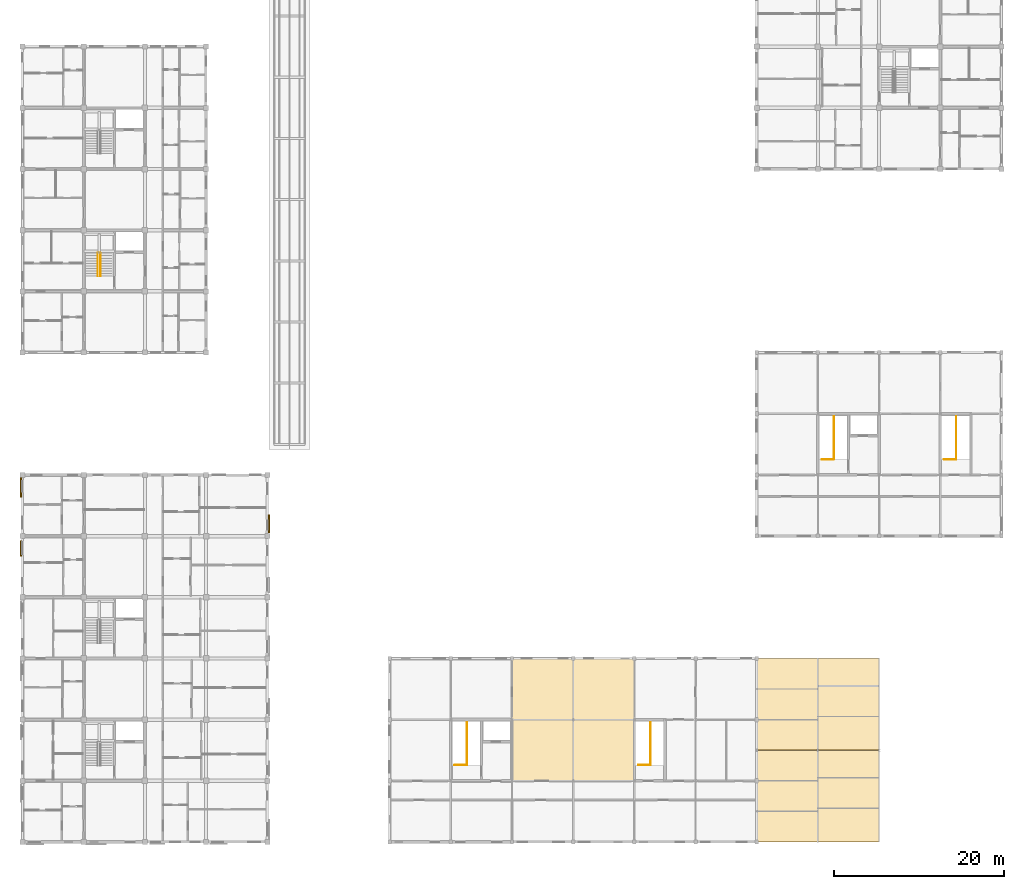
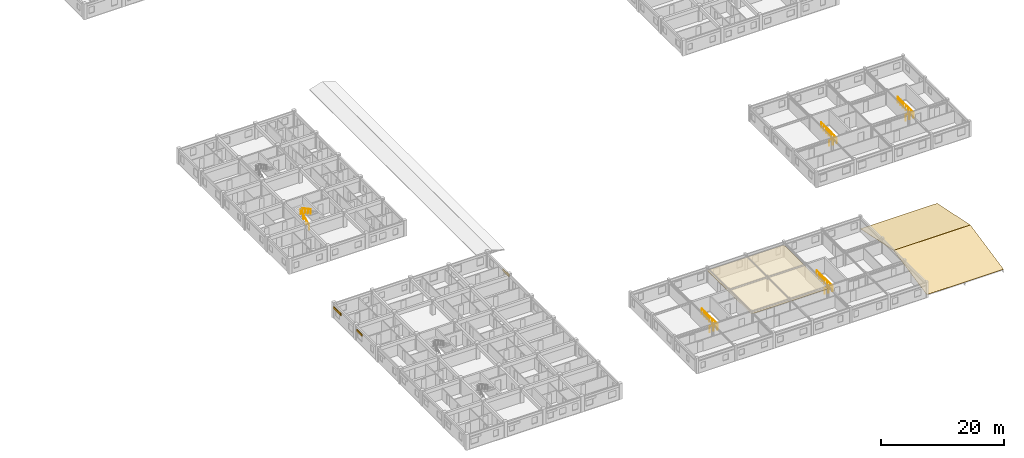
# One storey, part 44 of 50: 6 railings, 3 coverings, 3 shading devices.
"""IFC4 building model written with IfcOpenShell, lengths in metres."""

from ifc_helpers import new_model, si_unit, direction, frame, origin, origin_2d, place, context, subcontext, project, spatial, polyline, rectangle, circle, outline, extrude, material, layer, layer_set, type_object, element, save


model = new_model("IFC4")

# Units and contexts
model_context = context("Model", 3, precision=1e-05, world=origin(), true_north=direction((0.0, 1.0)))
body_context = subcontext(model_context, "Body", "Model", "MODEL_VIEW")
ifc_project = project(units=[si_unit("LENGTHUNIT", "METRE"), si_unit("AREAUNIT", "SQUARE_METRE"), si_unit("VOLUMEUNIT", "CUBIC_METRE"), si_unit("PLANEANGLEUNIT", "RADIAN"), si_unit("MASSUNIT", "GRAM", prefix="KILO"), si_unit("THERMODYNAMICTEMPERATUREUNIT", "KELVIN"), si_unit("POWERUNIT", "WATT")], contexts=[model_context])

# Site, building, storey
site_placement = place(None, origin())
site = spatial("IfcSite", under=ifc_project, at=site_placement, CompositionType="ELEMENT")
building_placement = place(site_placement, origin())
building = spatial("IfcBuilding", under=site, at=building_placement, Name="Tavuni Mirador Residences", CompositionType="ELEMENT")
storey_placement = place(building_placement, frame((0.0, 0.0, 4.5)))
storey = spatial("IfcBuildingStorey", under=building, at=storey_placement, Name="L01", CompositionType="ELEMENT", Elevation=4.5)

# Coverings
ifc_material_1 = material(Name="Perforated mineral-fibre acoustic ceiling", Category="gypsum")
ifc_layer_1 = layer(ifc_material_1, 0.02490234375, Name="Perforated mineral-fibre acoustic ceiling", Category="gypsum")
ifc_layer_set_1 = layer_set([ifc_layer_1], Name="Perforated mineral-fibre acoustic ceiling")
covering_type_1 = type_object("IfcCoveringType", Name="CVT-CEIL-AC", PredefinedType="CEILING", material=ifc_layer_set_1)
covering_placement = place(storey_placement, frame((0.0, 0.0, 2.264892578125)))
element("IfcCovering", 1, at=covering_placement, inside=storey, type_object=covering_type_1, Name="CEIL-SHOP-CLG", PredefinedType="CEILING", context=body_context, shape_type="SweptSolid", body=[
    extrude(outline(polyline([(61.199951171875, 14.39990234375), (75.60009765625, 14.39990234375), (75.60009765625, 28.800048828125), (61.199951171875, 28.800048828125), (61.199951171875, 14.39990234375)])), origin(), (0.0, 0.0, 1.0), 0.025146484375),
])
ifc_material_2 = material(Name="Glazed ceramic roof tile", Category="masonry")
ifc_layer_2 = layer(ifc_material_2, 0.044921875, Name="Glazed ceramic roof tile", Category="masonry")
ifc_layer_set_2 = layer_set([ifc_layer_2], Name="Glazed ceramic roof tile")
covering_type_2 = type_object("IfcCoveringType", Name="CVT-ROOF-TILE", PredefinedType="ROOFING", material=ifc_layer_set_2)
for number, where, z_axis, x_axis, name in (
    (2, (90.0, 7.199951171875, 0.445068359375), (0.0, -0.204170111203, 0.978935424679), (1.0, 0.0, 0.0), "COV-RF-SHOP-CARPARK-S"),
    (3, (90.0, 18.011962890625, 2.695068359375), (0.0, 0.204170111203, 0.978935424679), (1.0, 0.0, 0.0), "COV-RF-SHOP-CARPARK-N"),
):
    element("IfcCovering", number, at=place(storey_placement, frame(where, z_axis=z_axis, x_axis=x_axis)), inside=storey, type_object=covering_type_2, Name=name, PredefinedType="ROOFING", context=body_context, shape_type="SweptSolid", body=[
        extrude(outline(polyline([(0.0, 0.0), (14.39990234375, 0.0), (14.39990234375, 11.020222238906312), (0.0, 11.020222238906312), (0.0, 0.0)])), origin(), (0.0, 0.0, -1.0), 0.044921875),
    ])

# Railings
ifc_material_3 = material(Name="Structural steel S355", Category="steel")
railing_type_1 = type_object("IfcRailingType", Name="RT-GR1120", PredefinedType="GUARDRAIL", material=ifc_material_3)
for number, where, name in (
    (4, (54.449951171875, 16.239990234375, 0.0), "GRD-TOP-ST9"),
    (5, (76.050048828125, 16.239990234375, 0.0), "GRD-TOP-ST10"),
):
    element("IfcRailing", number, at=place(storey_placement, frame(where)), inside=storey, type_object=railing_type_1, Name=name, PredefinedType="GUARDRAIL", context=body_context, shape_type="SweptSolid", body=[
        extrude(circle(Radius=0.02392578125, at=origin_2d()), frame((0.0, 0.0, 1.09619140625), z_axis=(1.0, 0.0, 0.0), x_axis=(0.0, 1.0, 0.0)), (0.0, 0.0, 1.0), 1.429931640625),
        extrude(circle(Radius=0.02392578125, at=origin_2d()), frame((1.429931640625, 0.0, 1.09619140625), z_axis=(0.0, 1.0, 0.0), x_axis=(-1.0, 0.0, 0.0)), (0.0, 0.0, 1.0), 5.06005859375),
        extrude(circle(Radius=0.02099609375, at=origin_2d()), origin(), (0.0, 0.0, 1.0), 1.072021484375),
        extrude(circle(Radius=0.02099609375, at=origin_2d()), frame((0.71484375, 0.0, 0.0)), (0.0, 0.0, 1.0), 1.072021484375),
        extrude(circle(Radius=0.02099609375, at=origin_2d()), frame((1.429931640625, 0.0, 0.0)), (0.0, 0.0, 1.0), 1.072021484375),
        extrude(circle(Radius=0.02099609375, at=origin_2d()), frame((1.429931640625, 0.84326171875, 0.0)), (0.0, 0.0, 1.0), 1.072021484375),
        extrude(circle(Radius=0.02099609375, at=origin_2d()), frame((1.429931640625, 1.686767578125, 0.0)), (0.0, 0.0, 1.0), 1.072021484375),
        extrude(circle(Radius=0.02099609375, at=origin_2d()), frame((1.429931640625, 2.530029296875, 0.0)), (0.0, 0.0, 1.0), 1.072021484375),
        extrude(circle(Radius=0.02099609375, at=origin_2d()), frame((1.429931640625, 3.373291015625, 0.0)), (0.0, 0.0, 1.0), 1.072021484375),
        extrude(circle(Radius=0.02099609375, at=origin_2d()), frame((1.429931640625, 4.216796875, 0.0)), (0.0, 0.0, 1.0), 1.072021484375),
        extrude(circle(Radius=0.02099609375, at=origin_2d()), frame((1.429931640625, 5.06005859375, 0.0)), (0.0, 0.0, 1.0), 1.072021484375),
    ])
railing_1_placement = place(storey_placement, frame((97.64990234375, 52.239990234375, 0.0)))
element("IfcRailing", 6, at=railing_1_placement, inside=storey, type_object=railing_type_1, Name="GRD-TOP-ST11", PredefinedType="GUARDRAIL", context=body_context, shape_type="SweptSolid", body=[
    extrude(circle(Radius=0.02392578125, at=origin_2d()), frame((0.0, 0.0, 1.09619140625), z_axis=(1.0, 0.0, 0.0), x_axis=(0.0, 1.0, 0.0)), (0.0, 0.0, 1.0), 1.43017578125),
    extrude(circle(Radius=0.02392578125, at=origin_2d()), frame((1.43017578125, 0.0, 1.09619140625), z_axis=(0.0, 1.0, 0.0), x_axis=(-1.0, 0.0, 0.0)), (0.0, 0.0, 1.0), 5.06005859375),
    extrude(circle(Radius=0.02099609375, at=origin_2d()), origin(), (0.0, 0.0, 1.0), 1.072021484375),
    extrude(circle(Radius=0.02099609375, at=origin_2d()), frame((0.715087890625, 0.0, 0.0)), (0.0, 0.0, 1.0), 1.072021484375),
    extrude(circle(Radius=0.02099609375, at=origin_2d()), frame((1.43017578125, 0.0, 0.0)), (0.0, 0.0, 1.0), 1.072021484375),
    extrude(circle(Radius=0.02099609375, at=origin_2d()), frame((1.43017578125, 0.84326171875, 0.0)), (0.0, 0.0, 1.0), 1.072021484375),
    extrude(circle(Radius=0.02099609375, at=origin_2d()), frame((1.43017578125, 1.686767578125, 0.0)), (0.0, 0.0, 1.0), 1.072021484375),
    extrude(circle(Radius=0.02099609375, at=origin_2d()), frame((1.43017578125, 2.530029296875, 0.0)), (0.0, 0.0, 1.0), 1.072021484375),
    extrude(circle(Radius=0.02099609375, at=origin_2d()), frame((1.43017578125, 3.373291015625, 0.0)), (0.0, 0.0, 1.0), 1.072021484375),
    extrude(circle(Radius=0.02099609375, at=origin_2d()), frame((1.43017578125, 4.216796875, 0.0)), (0.0, 0.0, 1.0), 1.072021484375),
    extrude(circle(Radius=0.02099609375, at=origin_2d()), frame((1.43017578125, 5.06005859375, 0.0)), (0.0, 0.0, 1.0), 1.072021484375),
])
railing_2_placement = place(storey_placement, frame((112.050048828125, 52.239990234375, 0.0)))
element("IfcRailing", 7, at=railing_2_placement, inside=storey, type_object=railing_type_1, Name="GRD-TOP-ST12", PredefinedType="GUARDRAIL", context=body_context, shape_type="SweptSolid", body=[
    extrude(circle(Radius=0.02392578125, at=origin_2d()), frame((0.0, 0.0, 1.09619140625), z_axis=(1.0, 0.0, 0.0), x_axis=(0.0, 1.0, 0.0)), (0.0, 0.0, 1.0), 1.429931640625),
    extrude(circle(Radius=0.02392578125, at=origin_2d()), frame((1.429931640625, 0.0, 1.09619140625), z_axis=(0.0, 1.0, 0.0), x_axis=(-1.0, 0.0, 0.0)), (0.0, 0.0, 1.0), 5.06005859375),
    extrude(circle(Radius=0.02099609375, at=origin_2d()), origin(), (0.0, 0.0, 1.0), 1.072021484375),
    extrude(circle(Radius=0.02099609375, at=origin_2d()), frame((0.71484375, 0.0, 0.0)), (0.0, 0.0, 1.0), 1.072021484375),
    extrude(circle(Radius=0.02099609375, at=origin_2d()), frame((1.429931640625, 0.0, 0.0)), (0.0, 0.0, 1.0), 1.072021484375),
    extrude(circle(Radius=0.02099609375, at=origin_2d()), frame((1.429931640625, 0.84326171875, 0.0)), (0.0, 0.0, 1.0), 1.072021484375),
    extrude(circle(Radius=0.02099609375, at=origin_2d()), frame((1.429931640625, 1.686767578125, 0.0)), (0.0, 0.0, 1.0), 1.072021484375),
    extrude(circle(Radius=0.02099609375, at=origin_2d()), frame((1.429931640625, 2.530029296875, 0.0)), (0.0, 0.0, 1.0), 1.072021484375),
    extrude(circle(Radius=0.02099609375, at=origin_2d()), frame((1.429931640625, 3.373291015625, 0.0)), (0.0, 0.0, 1.0), 1.072021484375),
    extrude(circle(Radius=0.02099609375, at=origin_2d()), frame((1.429931640625, 4.216796875, 0.0)), (0.0, 0.0, 1.0), 1.072021484375),
    extrude(circle(Radius=0.02099609375, at=origin_2d()), frame((1.429931640625, 5.06005859375, 0.0)), (0.0, 0.0, 1.0), 1.072021484375),
])
railing_type_2 = type_object("IfcRailingType", Name="RT-HR920", PredefinedType="HANDRAIL", material=ifc_material_3)
railing_3_placement = place(storey_placement, frame((12.449951171875, 73.800048828125, 0.157470703125)))
element("IfcRailing", 8, at=railing_3_placement, inside=storey, type_object=railing_type_2, Name="HR-ST3-L01-F1", PredefinedType="HANDRAIL", context=body_context, shape_type="SweptSolid", body=[
    extrude(circle(Radius=0.02392578125, at=origin_2d()), frame((0.0, 0.0, 0.89599609375), z_axis=(0.0, 0.885397079081, 0.464835468048), x_axis=(-1.0, 0.0, 0.0)), (0.0, 0.0, 1.0), 3.04931640625),
    extrude(circle(Radius=0.02099609375, at=origin_2d()), origin(), (0.0, 0.0, 1.0), 0.871826171875),
    extrude(circle(Radius=0.02099609375, at=origin_2d()), frame((0.0, 0.89990234375, 0.472412109375)), (0.0, 0.0, 1.0), 0.871826171875),
    extrude(circle(Radius=0.02099609375, at=origin_2d()), frame((0.0, 1.800048828125, 0.945068359375)), (0.0, 0.0, 1.0), 0.871826171875),
    extrude(circle(Radius=0.02099609375, at=origin_2d()), frame((0.0, 2.699951171875, 1.41748046875)), (0.0, 0.0, 1.0), 0.871826171875),
])
railing_4_placement = place(storey_placement, frame((12.75, 76.5, 1.732421875)))
element("IfcRailing", 9, at=railing_4_placement, inside=storey, type_object=railing_type_2, Name="HR-ST3-L01-F2", PredefinedType="HANDRAIL", context=body_context, shape_type="SweptSolid", body=[
    extrude(circle(Radius=0.02392578125, at=origin_2d()), frame((0.0, 0.0, 0.89599609375), z_axis=(0.0, -0.885397079081, 0.464835468048), x_axis=(1.0, 0.0, 0.0)), (0.0, 0.0, 1.0), 3.04931640625),
    extrude(circle(Radius=0.02099609375, at=origin_2d()), origin(), (0.0, 0.0, 1.0), 0.871826171875),
    extrude(circle(Radius=0.02099609375, at=origin_2d()), frame((0.0, -0.89990234375, 0.472412109375)), (0.0, 0.0, 1.0), 0.871826171875),
    extrude(circle(Radius=0.02099609375, at=origin_2d()), frame((0.0, -1.800048828125, 0.945068359375)), (0.0, 0.0, 1.0), 0.871826171875),
    extrude(circle(Radius=0.02099609375, at=origin_2d()), frame((0.0, -2.699951171875, 1.41748046875)), (0.0, 0.0, 1.0), 0.871826171875),
])

# Shading devices
ifc_material_4 = material(Name="Solid core iroko timber", Category="wood")
shading_device_type_1 = type_object("IfcShadingDeviceType", Name="SHT-LV1800", PredefinedType="JALOUSIE", material=ifc_material_4)
shading_device_1_placement = place(storey_placement, frame((3.405517578125, 41.75, 2.02001953125), z_axis=(0.0, 0.0, 1.0), x_axis=(0.0, -1.0, 0.0)))
element("IfcShadingDevice", 10, at=shading_device_1_placement, inside=storey, type_object=shading_device_type_1, Name="SHD-012", PredefinedType="JALOUSIE", context=body_context, shape_type="SweptSolid", body=[
    extrude(rectangle(XDim=1.800048828125, YDim=0.139892578125, at=origin_2d()), origin(), (0.0, 0.0, 1.0), 0.39990234375),
])
shading_device_type_2 = type_object("IfcShadingDeviceType", Name="SHT-LV2100", PredefinedType="JALOUSIE", material=ifc_material_4)
shading_device_2_placement = place(storey_placement, frame((32.594482421875, 44.64990234375, 2.0), z_axis=(0.0, 0.0, 1.0), x_axis=(0.0, 1.0, 0.0)))
element("IfcShadingDevice", 11, at=shading_device_2_placement, inside=storey, type_object=shading_device_type_2, Name="SHD-010", PredefinedType="JALOUSIE", context=body_context, shape_type="SweptSolid", body=[
    extrude(rectangle(XDim=2.10009765625, YDim=0.14990234375, at=origin_2d()), origin(), (0.0, 0.0, 1.0), 0.419921875),
])
shading_device_type_3 = type_object("IfcShadingDeviceType", Name="SHT-LV2400", PredefinedType="JALOUSIE", material=ifc_material_4)
shading_device_3_placement = place(storey_placement, frame((3.400390625, 48.949951171875, 1.97021484375), z_axis=(0.0, 0.0, 1.0), x_axis=(0.0, -1.0, 0.0)))
element("IfcShadingDevice", 12, at=shading_device_3_placement, inside=storey, type_object=shading_device_type_3, Name="SHD-011", PredefinedType="JALOUSIE", context=body_context, shape_type="SweptSolid", body=[
    extrude(rectangle(XDim=2.39990234375, YDim=0.159912109375, at=origin_2d()), origin(), (0.0, 0.0, 1.0), 0.449951171875),
])

save(model, "model.ifc")
